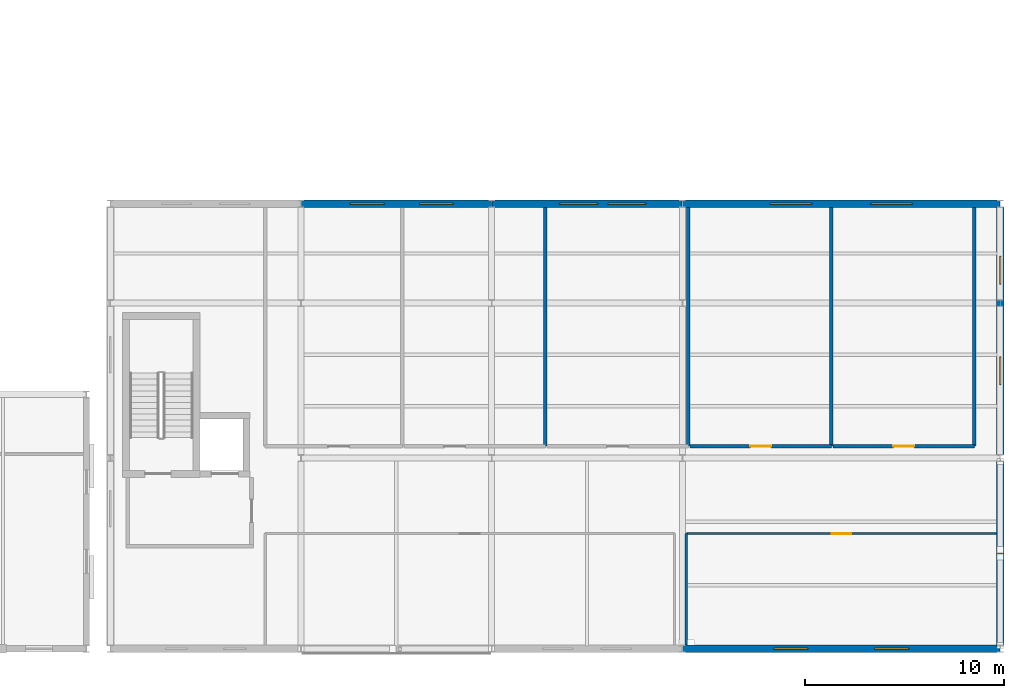
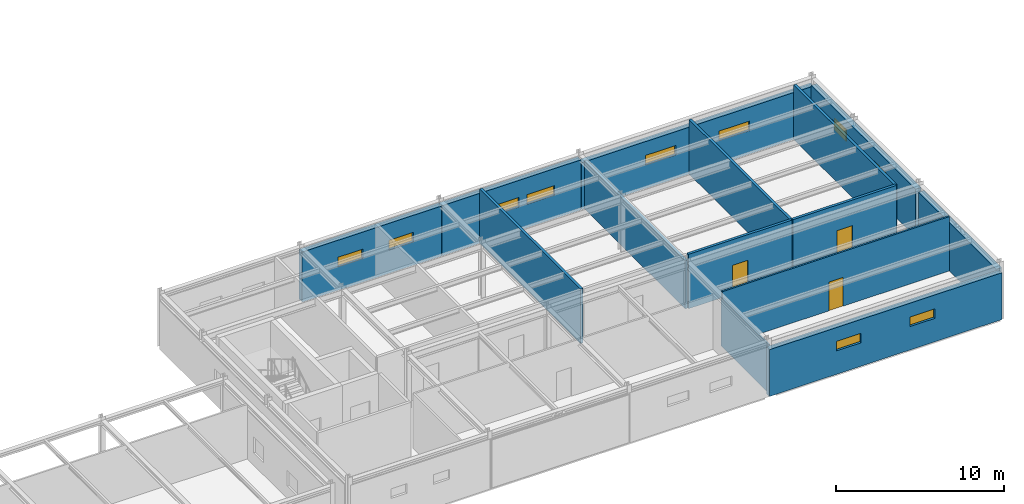
# One storey, part 89 of 99: 14 walls, 10 windows, 3 doors, 13 openings.
"""IFC4 building model written with IfcOpenShell, lengths in metres."""

from ifc_helpers import new_model, si_unit, direction, frame, frame_2d, origin, place, context, subcontext, project, spatial, rectangle, extrude, material, layer, layer_set, type_object, element, fill, save


model = new_model("IFC4")

# Units and contexts
model_context = context("Model", 3, precision=1e-05, world=origin(), true_north=direction((0.0, 1.0)))
body_context = subcontext(model_context, "Body", "Model", "MODEL_VIEW")
ifc_project = project(units=[si_unit("LENGTHUNIT", "METRE"), si_unit("AREAUNIT", "SQUARE_METRE"), si_unit("VOLUMEUNIT", "CUBIC_METRE"), si_unit("PLANEANGLEUNIT", "RADIAN"), si_unit("MASSUNIT", "GRAM", prefix="KILO")], contexts=[model_context])

# Site, building, storey
site_placement = place(None, origin())
site = spatial("IfcSite", under=ifc_project, at=site_placement, CompositionType="ELEMENT")
building_placement = place(site_placement, origin())
building = spatial("IfcBuilding", under=site, at=building_placement, Name="Nordkorset Police Headquarters", CompositionType="ELEMENT")
storey_placement = place(building_placement, frame((0.0, 0.0, 5.25)))
storey = spatial("IfcBuildingStorey", under=building, at=storey_placement, Name="L01", CompositionType="ELEMENT", Elevation=5.25)

# Walls
ifc_material_1 = material(Name="Gypsum board", Category="gypsum")
ifc_layer_1 = layer(ifc_material_1, 0.179931640625, Name="Gypsum board")
ifc_layer_set_1 = layer_set([ifc_layer_1], Name="Gypsum board")
wall_type_1 = type_object("IfcWallType", Name="Wall_Comp_180", PredefinedType="PARTITIONING", material=ifc_layer_set_1)
wall_1_placement = place(storey_placement, frame((148.300048828125, 10.199951171875, 0.0), z_axis=(0.0, 0.0, 1.0), x_axis=(0.0, 1.0, 0.0)))
element("IfcWall", 1, at=wall_1_placement, inside=storey, type_object=wall_type_1, Name="Interior Partition Wall Detention Cell 05", PredefinedType="PARTITIONING", context=body_context, shape_type="SweptSolid", body=[
    extrude(rectangle(XDim=12.01513671875, YDim=0.179931640625, at=frame_2d((6.007568359375, 0.0))), origin(), (0.0, 0.0, 1.0), 3.9599609375),
])
wall_2_placement = place(storey_placement, frame((155.5, 10.199951171875, 0.0), z_axis=(0.0, 0.0, 1.0), x_axis=(0.0, 1.0, 0.0)))
element("IfcWall", 2, at=wall_2_placement, inside=storey, type_object=wall_type_1, Name="Interior Partition Wall Detention Cell 06", PredefinedType="PARTITIONING", context=body_context, shape_type="SweptSolid", body=[
    extrude(rectangle(XDim=12.01513671875, YDim=0.179931640625, at=frame_2d((6.007568359375, 0.0))), origin(), (0.0, 0.0, 1.0), 3.5),
])

# Wall, opening, door
wall_3_placement = place(storey_placement, frame((155.5849609375, 10.199951171875, 0.0), z_axis=(0.0, 0.0, 1.0), x_axis=(1.0, 0.0, 0.0)))
wall_3 = element("IfcWall", 3, at=wall_3_placement, inside=storey, type_object=wall_type_1, Name="Interior Partition Wall Detention Cell 07", PredefinedType="PARTITIONING", context=body_context, shape_type="SweptSolid", body=[
    extrude(rectangle(XDim=7.114990234375, YDim=0.179931640625, at=frame_2d((3.5576171875, 0.0))), origin(), (0.0, 0.0, 1.0), 3.9599609375),
])
opening_1_placement = place(wall_3_placement, frame((3.032470703125, 0.0, 0.0)))
opening_1 = element("IfcOpeningElement", 4, at=opening_1_placement, cuts=wall_3, Name="Opening DR-24", PredefinedType="OPENING", context=body_context, shape_type="SweptSolid", body=[
    extrude(rectangle(XDim=1.050048828125, YDim=2.10009765625, at=frame_2d((0.52490234375, 1.050048828125))), frame((0.0, 0.10009765625, 0.0), z_axis=(0.0, -1.0, 0.0), x_axis=(1.0, 0.0, 0.0)), (0.0, 0.0, 1.0), 0.199951171875),
])
ifc_material_2 = material(Name="Steel S355J2", Category="steel")
door_type_1 = type_object("IfcDoorType", Name="Door_CustodyCell_1050x2100", OperationType="NOTDEFINED", PredefinedType="DOOR", material=ifc_material_2)
door_1_placement = place(opening_1_placement, origin())
door_1 = element("IfcDoor", 5, at=door_1_placement, inside=storey, type_object=door_type_1, Name="Interior Door Detention Cell 07", OperationType="SINGLE_SWING_LEFT", OverallHeight=2.10009765625, OverallWidth=1.050048828125, PredefinedType="DOOR", context=body_context, shape_type="SweptSolid", body=[
    extrude(rectangle(XDim=1.050048828125, YDim=2.10009765625, at=frame_2d((0.52490234375, 1.050048828125))), frame((0.0, 0.02490234375, 0.0), z_axis=(0.0, -1.0, 0.0), x_axis=(1.0, 0.0, 0.0)), (0.0, 0.0, 1.0), 0.050048828125),
])
fill(opening_1, door_1)

# Wall
wall_4_placement = place(storey_placement, frame((162.699951171875, 10.199951171875, 0.0), z_axis=(0.0, 0.0, 1.0), x_axis=(0.0, 1.0, 0.0)))
element("IfcWall", 6, at=wall_4_placement, inside=storey, type_object=wall_type_1, Name="Interior Partition Wall Detention Cell 07", PredefinedType="PARTITIONING", context=body_context, shape_type="SweptSolid", body=[
    extrude(rectangle(XDim=12.01513671875, YDim=0.179931640625, at=frame_2d((6.007568359375, 0.0))), origin(), (0.0, 0.0, 1.0), 3.9599609375),
])

# Wall, opening, door
wall_5_placement = place(storey_placement, frame((162.784912109375, 10.199951171875, 0.0), z_axis=(0.0, 0.0, 1.0), x_axis=(1.0, 0.0, 0.0)))
wall_5 = element("IfcWall", 7, at=wall_5_placement, inside=storey, type_object=wall_type_1, Name="Interior Partition Wall Detention Cell 08", PredefinedType="PARTITIONING", context=body_context, shape_type="SweptSolid", body=[
    extrude(rectangle(XDim=7.114990234375, YDim=0.179931640625, at=frame_2d((3.5576171875, 0.0))), origin(), (0.0, 0.0, 1.0), 3.9599609375),
])
opening_2_placement = place(wall_5_placement, frame((3.032470703125, 0.0, 0.0)))
opening_2 = element("IfcOpeningElement", 8, at=opening_2_placement, cuts=wall_5, Name="Opening DR-24", PredefinedType="OPENING", context=body_context, shape_type="SweptSolid", body=[
    extrude(rectangle(XDim=1.050048828125, YDim=2.10009765625, at=frame_2d((0.52490234375, 1.050048828125))), frame((0.0, 0.10009765625, 0.0), z_axis=(0.0, -1.0, 0.0), x_axis=(1.0, 0.0, 0.0)), (0.0, 0.0, 1.0), 0.199951171875),
])
door_2_placement = place(opening_2_placement, frame((1.050048828125, 0.0, 0.0), z_axis=(0.0, 0.0, 1.0), x_axis=(-1.0, 0.0, 0.0)))
door_2 = element("IfcDoor", 9, at=door_2_placement, inside=storey, type_object=door_type_1, Name="Interior Door Detention Cell 08", OperationType="SINGLE_SWING_RIGHT", OverallHeight=2.10009765625, OverallWidth=1.050048828125, PredefinedType="DOOR", context=body_context, shape_type="SweptSolid", body=[
    extrude(rectangle(XDim=1.050048828125, YDim=2.10009765625, at=frame_2d((0.52490234375, 1.050048828125))), frame((0.0, 0.02490234375, 0.0), z_axis=(0.0, -1.0, 0.0), x_axis=(1.0, 0.0, 0.0)), (0.0, 0.0, 1.0), 0.050048828125),
])
fill(opening_2, door_2)

# Wall
wall_6_placement = place(storey_placement, frame((169.89990234375, 10.199951171875, 0.0), z_axis=(0.0, 0.0, 1.0), x_axis=(0.0, 1.0, 0.0)))
element("IfcWall", 10, at=wall_6_placement, inside=storey, type_object=wall_type_1, Name="Interior Partition Wall Detention Cell 08", PredefinedType="PARTITIONING", context=body_context, shape_type="SweptSolid", body=[
    extrude(rectangle(XDim=12.01513671875, YDim=0.179931640625, at=frame_2d((6.007568359375, 0.0))), origin(), (0.0, 0.0, 1.0), 3.9599609375),
])

# Wall, openings, windows
ifc_material_3 = material(Name="Precast concrete C40/50", Category="concrete")
ifc_layer_2 = layer(ifc_material_3, 0.3798828125, Name="Precast concrete C40/50")
ifc_layer_set_2 = layer_set([ifc_layer_2], Name="Precast concrete C40/50")
wall_type_2 = type_object("IfcWallType", Name="Wall_ExtCustody_380", PredefinedType="SOLIDWALL", material=ifc_layer_set_2)
wall_7_placement = place(storey_placement, frame((136.008056640625, 22.39990234375, 0.0), z_axis=(0.0, 0.0, 1.0), x_axis=(1.0, 0.0, 0.0)))
wall_7 = element("IfcWall", 11, at=wall_7_placement, inside=storey, type_object=wall_type_2, Name="Exterior Insulated Precast Wall L01 V6N-1", PredefinedType="SOLIDWALL", context=body_context, shape_type="SweptSolid", body=[
    extrude(rectangle(XDim=9.583984375, YDim=0.3798828125, at=frame_2d((4.7919921875, 0.0))), origin(), (0.0, 0.0, 1.0), 3.635009765625),
])
opening_3_placement = place(wall_7_placement, frame((2.475341796875, 0.0, 1.699951171875)))
opening_3 = element("IfcOpeningElement", 12, at=opening_3_placement, cuts=wall_7, Name="Opening WN-10", PredefinedType="OPENING", context=body_context, shape_type="SweptSolid", body=[
    extrude(rectangle(XDim=1.699951171875, YDim=0.699951171875, at=frame_2d((0.85009765625, 0.35009765625))), frame((0.0, 0.199951171875, 0.0), z_axis=(0.0, -1.0, 0.0), x_axis=(1.0, 0.0, 0.0)), (0.0, 0.0, 1.0), 0.39990234375),
])
opening_4_placement = place(wall_7_placement, frame((5.958740234375, 0.0, 1.699951171875)))
opening_4 = element("IfcOpeningElement", 13, at=opening_4_placement, cuts=wall_7, Name="Opening WN-10", PredefinedType="OPENING", context=body_context, shape_type="SweptSolid", body=[
    extrude(rectangle(XDim=1.699951171875, YDim=0.699951171875, at=frame_2d((0.85009765625, 0.35009765625))), frame((0.0, 0.199951171875, 0.0), z_axis=(0.0, -1.0, 0.0), x_axis=(1.0, 0.0, 0.0)), (0.0, 0.0, 1.0), 0.39990234375),
])
ifc_material_4 = material(Name="Low-iron triple glazing", Category="glass")
window_type_1 = type_object("IfcWindowType", Name="Win_1700x700", PartitioningType="SINGLE_PANEL", PredefinedType="WINDOW", material=ifc_material_4)
window_1_placement = place(opening_3_placement, origin())
window_1 = element("IfcWindow", 14, at=window_1_placement, inside=storey, type_object=window_type_1, Name="Triple-Glazed Exterior Window L01 V6N-1-1", OverallHeight=0.699951171875, OverallWidth=1.699951171875, PartitioningType="SINGLE_PANEL", PredefinedType="WINDOW", context=body_context, shape_type="SweptSolid", body=[
    extrude(rectangle(XDim=1.699951171875, YDim=0.699951171875, at=frame_2d((0.85009765625, 0.35009765625))), frame((0.0, 0.030029296875, 0.0), z_axis=(0.0, -1.0, 0.0), x_axis=(1.0, 0.0, 0.0)), (0.0, 0.0, 1.0), 0.06005859375),
])
fill(opening_3, window_1)
window_2_placement = place(opening_4_placement, origin())
window_2 = element("IfcWindow", 15, at=window_2_placement, inside=storey, type_object=window_type_1, Name="Triple-Glazed Exterior Window L01 V6N-1-2", OverallHeight=0.699951171875, OverallWidth=1.699951171875, PartitioningType="SINGLE_PANEL", PredefinedType="WINDOW", context=body_context, shape_type="SweptSolid", body=[
    extrude(rectangle(XDim=1.699951171875, YDim=0.699951171875, at=frame_2d((0.85009765625, 0.35009765625))), frame((0.0, 0.030029296875, 0.0), z_axis=(0.0, -1.0, 0.0), x_axis=(1.0, 0.0, 0.0)), (0.0, 0.0, 1.0), 0.06005859375),
])
fill(opening_4, window_2)

wall_8_placement = place(storey_placement, frame((145.60791015625, 22.39990234375, 0.0), z_axis=(0.0, 0.0, 1.0), x_axis=(1.0, 0.0, 0.0)))
wall_8 = element("IfcWall", 16, at=wall_8_placement, inside=storey, type_object=wall_type_2, Name="Exterior Insulated Precast Wall L01 V6N-2", PredefinedType="SOLIDWALL", context=body_context, shape_type="SweptSolid", body=[
    extrude(rectangle(XDim=9.583984375, YDim=0.3798828125, at=frame_2d((4.7919921875, 0.0))), origin(), (0.0, 0.0, 1.0), 3.635009765625),
])
opening_5_placement = place(wall_8_placement, frame((3.42529296875, 0.0, 1.699951171875)))
opening_5 = element("IfcOpeningElement", 17, at=opening_5_placement, cuts=wall_8, Name="Opening WN-49", PredefinedType="OPENING", context=body_context, shape_type="SweptSolid", body=[
    extrude(rectangle(XDim=1.89990234375, YDim=0.699951171875, at=frame_2d((0.949951171875, 0.35009765625))), frame((0.0, 0.199951171875, 0.0), z_axis=(0.0, -1.0, 0.0), x_axis=(1.0, 0.0, 0.0)), (0.0, 0.0, 1.0), 0.39990234375),
])
opening_6_placement = place(wall_8_placement, frame((5.858642578125, 0.0, 1.699951171875)))
opening_6 = element("IfcOpeningElement", 18, at=opening_6_placement, cuts=wall_8, Name="Opening WN-49", PredefinedType="OPENING", context=body_context, shape_type="SweptSolid", body=[
    extrude(rectangle(XDim=1.89990234375, YDim=0.699951171875, at=frame_2d((0.949951171875, 0.35009765625))), frame((0.0, 0.199951171875, 0.0), z_axis=(0.0, -1.0, 0.0), x_axis=(1.0, 0.0, 0.0)), (0.0, 0.0, 1.0), 0.39990234375),
])
ifc_material_5 = material(Name="Low-iron triple glazing", Category="glass")
window_type_2 = type_object("IfcWindowType", Name="Win_1900x700", PartitioningType="SINGLE_PANEL", PredefinedType="WINDOW", material=ifc_material_5)
window_3_placement = place(opening_5_placement, origin())
window_3 = element("IfcWindow", 19, at=window_3_placement, inside=storey, type_object=window_type_2, Name="Triple-Glazed Exterior Window L01 V6N-2-1", OverallHeight=0.699951171875, OverallWidth=1.89990234375, PartitioningType="SINGLE_PANEL", PredefinedType="WINDOW", context=body_context, shape_type="SweptSolid", body=[
    extrude(rectangle(XDim=1.89990234375, YDim=0.699951171875, at=frame_2d((0.949951171875, 0.35009765625))), frame((0.0, 0.030029296875, 0.0), z_axis=(0.0, -1.0, 0.0), x_axis=(1.0, 0.0, 0.0)), (0.0, 0.0, 1.0), 0.06005859375),
])
fill(opening_5, window_3)
window_4_placement = place(opening_6_placement, origin())
window_4 = element("IfcWindow", 20, at=window_4_placement, inside=storey, type_object=window_type_2, Name="Triple-Glazed Exterior Window L01 V6N-2-2", OverallHeight=0.699951171875, OverallWidth=1.89990234375, PartitioningType="SINGLE_PANEL", PredefinedType="WINDOW", context=body_context, shape_type="SweptSolid", body=[
    extrude(rectangle(XDim=1.89990234375, YDim=0.699951171875, at=frame_2d((0.949951171875, 0.35009765625))), frame((0.0, 0.030029296875, 0.0), z_axis=(0.0, -1.0, 0.0), x_axis=(1.0, 0.0, 0.0)), (0.0, 0.0, 1.0), 0.06005859375),
])
fill(opening_6, window_4)

wall_9_placement = place(storey_placement, frame((155.2080078125, 0.0, 0.0), z_axis=(0.0, 0.0, 1.0), x_axis=(1.0, 0.0, 0.0)))
wall_9 = element("IfcWall", 21, at=wall_9_placement, inside=storey, type_object=wall_type_2, Name="Exterior Insulated Precast Wall L01 V6S-3", PredefinedType="SOLIDWALL", context=body_context, shape_type="SweptSolid", body=[
    extrude(rectangle(XDim=15.98388671875, YDim=0.3798828125, at=frame_2d((7.991943359375, 0.0))), origin(), (0.0, 0.0, 1.0), 3.39990234375),
])
opening_7_placement = place(wall_9_placement, frame((4.608642578125, 0.0, 1.699951171875)))
opening_7 = element("IfcOpeningElement", 22, at=opening_7_placement, cuts=wall_9, Name="Opening WN-10", PredefinedType="OPENING", context=body_context, shape_type="SweptSolid", body=[
    extrude(rectangle(XDim=1.699951171875, YDim=0.699951171875, at=frame_2d((0.85009765625, 0.35009765625))), frame((0.0, 0.199951171875, 0.0), z_axis=(0.0, -1.0, 0.0), x_axis=(1.0, 0.0, 0.0)), (0.0, 0.0, 1.0), 0.39990234375),
])
opening_8_placement = place(wall_9_placement, frame((9.67529296875, 0.0, 1.699951171875)))
opening_8 = element("IfcOpeningElement", 23, at=opening_8_placement, cuts=wall_9, Name="Opening WN-10", PredefinedType="OPENING", context=body_context, shape_type="SweptSolid", body=[
    extrude(rectangle(XDim=1.699951171875, YDim=0.699951171875, at=frame_2d((0.85009765625, 0.35009765625))), frame((0.0, 0.199951171875, 0.0), z_axis=(0.0, -1.0, 0.0), x_axis=(1.0, 0.0, 0.0)), (0.0, 0.0, 1.0), 0.39990234375),
])
window_5_placement = place(opening_7_placement, origin())
window_5 = element("IfcWindow", 24, at=window_5_placement, inside=storey, type_object=window_type_1, Name="Triple-Glazed Exterior Window L01 V6S-3-1", OverallHeight=0.699951171875, OverallWidth=1.699951171875, PartitioningType="SINGLE_PANEL", PredefinedType="WINDOW", context=body_context, shape_type="SweptSolid", body=[
    extrude(rectangle(XDim=1.699951171875, YDim=0.699951171875, at=frame_2d((0.85009765625, 0.35009765625))), frame((0.0, 0.030029296875, 0.0), z_axis=(0.0, -1.0, 0.0), x_axis=(1.0, 0.0, 0.0)), (0.0, 0.0, 1.0), 0.06005859375),
])
fill(opening_7, window_5)
window_6_placement = place(opening_8_placement, origin())
window_6 = element("IfcWindow", 25, at=window_6_placement, inside=storey, type_object=window_type_1, Name="Triple-Glazed Exterior Window L01 V6S-3-2", OverallHeight=0.699951171875, OverallWidth=1.699951171875, PartitioningType="SINGLE_PANEL", PredefinedType="WINDOW", context=body_context, shape_type="SweptSolid", body=[
    extrude(rectangle(XDim=1.699951171875, YDim=0.699951171875, at=frame_2d((0.85009765625, 0.35009765625))), frame((0.0, 0.030029296875, 0.0), z_axis=(0.0, -1.0, 0.0), x_axis=(1.0, 0.0, 0.0)), (0.0, 0.0, 1.0), 0.06005859375),
])
fill(opening_8, window_6)

wall_10_placement = place(storey_placement, frame((155.2080078125, 22.39990234375, 0.0), z_axis=(0.0, 0.0, 1.0), x_axis=(1.0, 0.0, 0.0)))
wall_10 = element("IfcWall", 26, at=wall_10_placement, inside=storey, type_object=wall_type_2, Name="Exterior Insulated Precast Wall L01 V6N-3", PredefinedType="SOLIDWALL", context=body_context, shape_type="SweptSolid", body=[
    extrude(rectangle(XDim=15.98388671875, YDim=0.3798828125, at=frame_2d((7.991943359375, 0.0))), origin(), (0.0, 0.0, 1.0), 3.405029296875),
])
opening_9_placement = place(wall_10_placement, frame((4.40869140625, 0.0, 1.699951171875)))
opening_9 = element("IfcOpeningElement", 27, at=opening_9_placement, cuts=wall_10, Name="Opening WN-05", PredefinedType="OPENING", context=body_context, shape_type="SweptSolid", body=[
    extrude(rectangle(XDim=2.10009765625, YDim=0.699951171875, at=frame_2d((1.050048828125, 0.35009765625))), frame((0.0, 0.199951171875, 0.0), z_axis=(0.0, -1.0, 0.0), x_axis=(1.0, 0.0, 0.0)), (0.0, 0.0, 1.0), 0.39990234375),
])
opening_10_placement = place(wall_10_placement, frame((9.475341796875, 0.0, 1.699951171875)))
opening_10 = element("IfcOpeningElement", 28, at=opening_10_placement, cuts=wall_10, Name="Opening WN-05", PredefinedType="OPENING", context=body_context, shape_type="SweptSolid", body=[
    extrude(rectangle(XDim=2.10009765625, YDim=0.699951171875, at=frame_2d((1.050048828125, 0.35009765625))), frame((0.0, 0.199951171875, 0.0), z_axis=(0.0, -1.0, 0.0), x_axis=(1.0, 0.0, 0.0)), (0.0, 0.0, 1.0), 0.39990234375),
])
ifc_material_6 = material(Name="Low-iron triple glazing", Category="glass")
window_type_3 = type_object("IfcWindowType", Name="Win_2100x700", PartitioningType="SINGLE_PANEL", PredefinedType="WINDOW", material=ifc_material_6)
window_7_placement = place(opening_9_placement, origin())
window_7 = element("IfcWindow", 29, at=window_7_placement, inside=storey, type_object=window_type_3, Name="Triple-Glazed Exterior Window L01 V6N-3-1", OverallHeight=0.699951171875, OverallWidth=2.10009765625, PartitioningType="SINGLE_PANEL", PredefinedType="WINDOW", context=body_context, shape_type="SweptSolid", body=[
    extrude(rectangle(XDim=2.10009765625, YDim=0.699951171875, at=frame_2d((1.050048828125, 0.35009765625))), frame((0.0, 0.030029296875, 0.0), z_axis=(0.0, -1.0, 0.0), x_axis=(1.0, 0.0, 0.0)), (0.0, 0.0, 1.0), 0.06005859375),
])
fill(opening_9, window_7)
window_8_placement = place(opening_10_placement, origin())
window_8 = element("IfcWindow", 30, at=window_8_placement, inside=storey, type_object=window_type_3, Name="Triple-Glazed Exterior Window L01 V6N-3-2", OverallHeight=0.699951171875, OverallWidth=2.10009765625, PartitioningType="SINGLE_PANEL", PredefinedType="WINDOW", context=body_context, shape_type="SweptSolid", body=[
    extrude(rectangle(XDim=2.10009765625, YDim=0.699951171875, at=frame_2d((1.050048828125, 0.35009765625))), frame((0.0, 0.030029296875, 0.0), z_axis=(0.0, -1.0, 0.0), x_axis=(1.0, 0.0, 0.0)), (0.0, 0.0, 1.0), 0.06005859375),
])
fill(opening_10, window_8)

# Wall
wall_11_placement = place(storey_placement, frame((171.199951171875, 0.172119140625, 0.0), z_axis=(0.0, 0.0, 1.0), x_axis=(0.0, 1.0, 0.0)))
element("IfcWall", 31, at=wall_11_placement, inside=storey, type_object=wall_type_2, Name="Exterior Insulated Precast Wall L01 V6E-0A", PredefinedType="SOLIDWALL", context=body_context, shape_type="SweptSolid", body=[
    extrude(rectangle(XDim=9.255859375, YDim=0.3798828125, at=frame_2d((4.6279296875, 0.0))), origin(), (0.0, 0.0, 1.0), 3.5),
])

# Wall, openings, windows
wall_12_placement = place(storey_placement, frame((171.199951171875, 9.77197265625, 0.0), z_axis=(0.0, 0.0, 1.0), x_axis=(0.0, 1.0, 0.0)))
wall_12 = element("IfcWall", 32, at=wall_12_placement, inside=storey, type_object=wall_type_2, Name="Exterior Insulated Precast Wall L01 V6E-0B", PredefinedType="SOLIDWALL", context=body_context, shape_type="SweptSolid", body=[
    extrude(rectangle(XDim=12.4560546875, YDim=0.3798828125, at=frame_2d((6.22802734375, 0.0))), origin(), (0.0, 0.0, 1.0), 3.5),
])
opening_11_placement = place(wall_12_placement, frame((3.528076171875, 0.0, 1.699951171875)))
opening_11 = element("IfcOpeningElement", 33, at=opening_11_placement, cuts=wall_12, Name="Opening WN-14", PredefinedType="OPENING", context=body_context, shape_type="SweptSolid", body=[
    extrude(rectangle(XDim=1.39990234375, YDim=0.85009765625, at=frame_2d((0.699951171875, 0.425048828125))), frame((0.0, 0.199951171875, 0.0), z_axis=(0.0, -1.0, 0.0), x_axis=(1.0, 0.0, 0.0)), (0.0, 0.0, 1.0), 0.39990234375),
])
opening_12_placement = place(wall_12_placement, frame((8.577880859375, 0.0, 1.699951171875)))
opening_12 = element("IfcOpeningElement", 34, at=opening_12_placement, cuts=wall_12, Name="Opening WN-14", PredefinedType="OPENING", context=body_context, shape_type="SweptSolid", body=[
    extrude(rectangle(XDim=1.39990234375, YDim=0.85009765625, at=frame_2d((0.699951171875, 0.425048828125))), frame((0.0, 0.199951171875, 0.0), z_axis=(0.0, -1.0, 0.0), x_axis=(1.0, 0.0, 0.0)), (0.0, 0.0, 1.0), 0.39990234375),
])
ifc_material_7 = material(Name="Low-iron triple glazing", Category="glass")
window_type_4 = type_object("IfcWindowType", Name="Win_1400x850", PartitioningType="SINGLE_PANEL", PredefinedType="WINDOW", material=ifc_material_7)
window_9_placement = place(opening_11_placement, origin())
window_9 = element("IfcWindow", 35, at=window_9_placement, inside=storey, type_object=window_type_4, Name="Triple-Glazed Exterior Window L01 V6E-0B-1", OverallHeight=0.85009765625, OverallWidth=1.39990234375, PartitioningType="SINGLE_PANEL", PredefinedType="WINDOW", context=body_context, shape_type="SweptSolid", body=[
    extrude(rectangle(XDim=1.39990234375, YDim=0.85009765625, at=frame_2d((0.699951171875, 0.425048828125))), frame((0.0, 0.030029296875, 0.0), z_axis=(0.0, -1.0, 0.0), x_axis=(1.0, 0.0, 0.0)), (0.0, 0.0, 1.0), 0.06005859375),
])
fill(opening_11, window_9)
window_10_placement = place(opening_12_placement, origin())
window_10 = element("IfcWindow", 36, at=window_10_placement, inside=storey, type_object=window_type_4, Name="Triple-Glazed Exterior Window L01 V6E-0B-2", OverallHeight=0.85009765625, OverallWidth=1.39990234375, PartitioningType="SINGLE_PANEL", PredefinedType="WINDOW", context=body_context, shape_type="SweptSolid", body=[
    extrude(rectangle(XDim=1.39990234375, YDim=0.85009765625, at=frame_2d((0.699951171875, 0.425048828125))), frame((0.0, 0.030029296875, 0.0), z_axis=(0.0, -1.0, 0.0), x_axis=(1.0, 0.0, 0.0)), (0.0, 0.0, 1.0), 0.06005859375),
])
fill(opening_12, window_10)

# Wall, opening, door
ifc_material_8 = material(Name="Gypsum board", Category="gypsum")
ifc_layer_3 = layer(ifc_material_8, 0.1201171875, Name="Gypsum board")
ifc_layer_set_3 = layer_set([ifc_layer_3], Name="Gypsum board")
wall_type_3 = type_object("IfcWallType", Name="Wall_Part_120", PredefinedType="PARTITIONING", material=ifc_layer_set_3)
wall_13_placement = place(storey_placement, frame((171.014892578125, 5.800048828125, 0.0), z_axis=(0.0, 0.0, 1.0), x_axis=(-1.0, 0.0, 0.0)))
wall_13 = element("IfcWall", 37, at=wall_13_placement, inside=storey, type_object=wall_type_3, Name="Interior Partition Wall Enclosed Detainee Exercise Room", PredefinedType="PARTITIONING", context=body_context, shape_type="SweptSolid", body=[
    extrude(rectangle(XDim=15.614990234375, YDim=0.1201171875, at=frame_2d((7.8076171875, 0.0))), origin(), (0.0, 0.0, 1.0), 3.9599609375),
])
opening_13_placement = place(wall_13_placement, frame((7.3173828125, 0.0, 0.0)))
opening_13 = element("IfcOpeningElement", 38, at=opening_13_placement, cuts=wall_13, Name="Opening DR-18", PredefinedType="OPENING", context=body_context, shape_type="SweptSolid", body=[
    extrude(rectangle(XDim=0.97998046875, YDim=2.10009765625, at=frame_2d((0.489990234375, 1.050048828125))), frame((0.0, 0.070068359375, 0.0), z_axis=(0.0, -1.0, 0.0), x_axis=(1.0, 0.0, 0.0)), (0.0, 0.0, 1.0), 0.14013671875),
])
ifc_material_9 = material(Name="Glulam GL30c", Category="wood")
door_type_2 = type_object("IfcDoorType", Name="Door_Office_980x2100", OperationType="NOTDEFINED", PredefinedType="DOOR", material=ifc_material_9)
door_3_placement = place(opening_13_placement, frame((0.97998046875, 0.0, 0.0), z_axis=(0.0, 0.0, 1.0), x_axis=(-1.0, 0.0, 0.0)))
door_3 = element("IfcDoor", 39, at=door_3_placement, inside=storey, type_object=door_type_2, Name="Interior Door Enclosed Detainee Exercise Room", OperationType="SINGLE_SWING_RIGHT", OverallHeight=2.10009765625, OverallWidth=0.97998046875, PredefinedType="DOOR", context=body_context, shape_type="SweptSolid", body=[
    extrude(rectangle(XDim=0.97998046875, YDim=2.10009765625, at=frame_2d((0.489990234375, 1.050048828125))), frame((0.0, 0.02490234375, 0.0), z_axis=(0.0, -1.0, 0.0), x_axis=(1.0, 0.0, 0.0)), (0.0, 0.0, 1.0), 0.050048828125),
])
fill(opening_13, door_3)

# Wall
wall_14_placement = place(storey_placement, frame((155.39990234375, 5.800048828125, 0.0), z_axis=(0.0, 0.0, 1.0), x_axis=(0.0, -1.0, 0.0)))
element("IfcWall", 40, at=wall_14_placement, inside=storey, type_object=wall_type_3, Name="Interior Partition Wall Enclosed Detainee Exercise Room", PredefinedType="PARTITIONING", context=body_context, shape_type="SweptSolid", body=[
    extrude(rectangle(XDim=5.614990234375, YDim=0.1201171875, at=frame_2d((2.8076171875, 0.0))), origin(), (0.0, 0.0, 1.0), 3.5),
])

save(model, "model.ifc")
